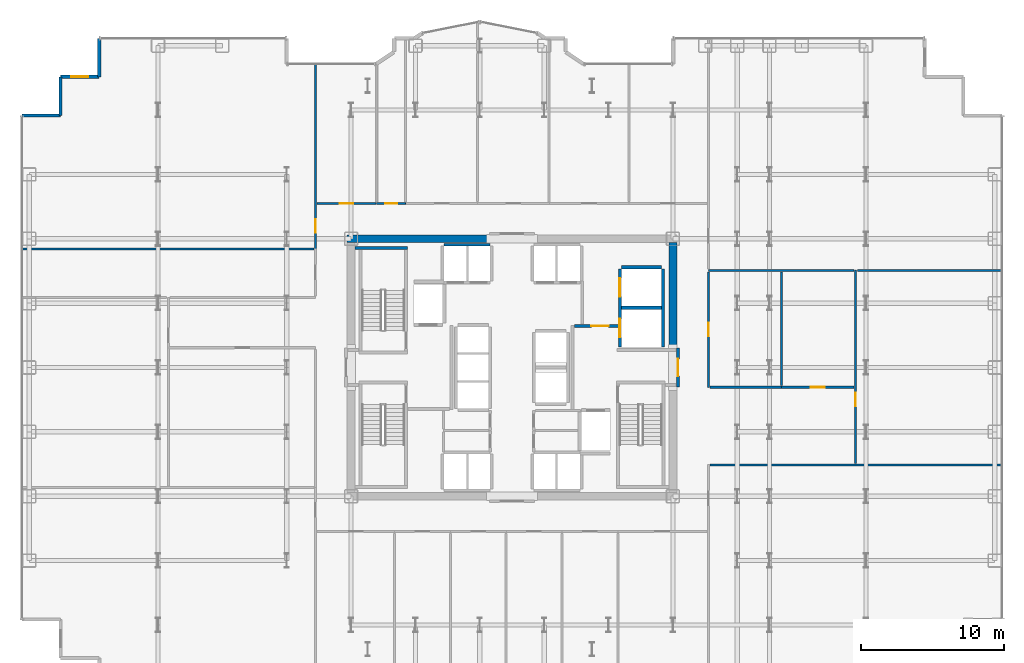
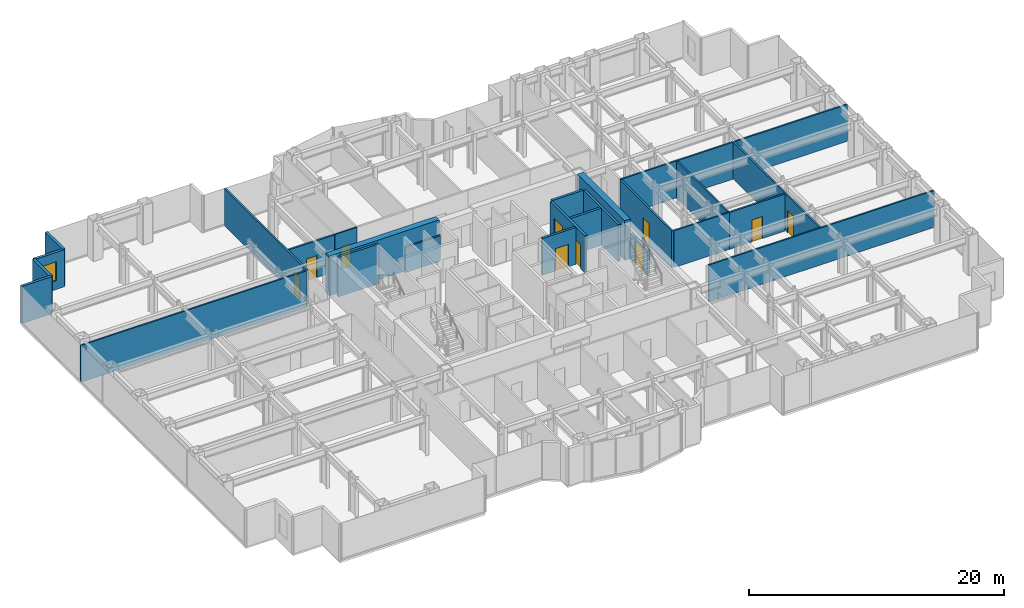
# One storey, part 23 of 26: 26 walls, 10 doors, 1 window, 11 openings.
"""IFC4 building model written with IfcOpenShell, lengths in metres."""

from ifc_helpers import new_model, si_unit, direction, frame, frame_2d, origin, place, context, subcontext, project, spatial, rectangle, extrude, source, transform, mapped, material, layer, layer_set, type_object, element, fill, save


model = new_model("IFC4")

# Units and contexts
model_context = context("Model", 3, precision=1e-05, world=origin(), true_north=direction((0.0, 1.0)))
body_context = subcontext(model_context, "Body", "Model", "MODEL_VIEW")
ifc_project = project(units=[si_unit("LENGTHUNIT", "METRE"), si_unit("AREAUNIT", "SQUARE_METRE"), si_unit("VOLUMEUNIT", "CUBIC_METRE"), si_unit("PLANEANGLEUNIT", "RADIAN"), si_unit("MASSUNIT", "GRAM", prefix="KILO")], contexts=[model_context])

# Site, building, storey
site_placement = place(None, origin())
site = spatial("IfcSite", under=ifc_project, at=site_placement, CompositionType="ELEMENT")
building_placement = place(site_placement, origin())
building = spatial("IfcBuilding", under=site, at=building_placement, Name="Nefas-Gora Pilgrimage Tower", CompositionType="ELEMENT")
storey_placement = place(building_placement, frame((0.0, 0.0, 94.60009765625)))
storey = spatial("IfcBuildingStorey", under=building, at=storey_placement, Name="L22", CompositionType="ELEMENT", Elevation=94.60009765625)

# Walls
ifc_material_1 = material(Name="Concrete C60/75", Category="concrete")
ifc_layer_1 = layer(ifc_material_1, 0.550048828125)
ifc_layer_set_1 = layer_set([ifc_layer_1], Name="Concrete C60/75")
wall_type_1 = type_object("IfcWallType", Name="SW-CORE-550", PredefinedType="SHEAR", material=ifc_layer_set_1)
shared_shape_1 = source(origin(), body_context, "Body", "SweptSolid", [
    extrude(rectangle(XDim=9.974853515625, YDim=0.550048828125, at=frame_2d((4.9873046875, 0.0))), origin(), (0.0, 0.0, 1.0), 3.7998046875),
])
wall_1_placement = place(storey_placement, frame((-11.52490234375, 9.0, 0.0), z_axis=(0.0, 0.0, 1.0), x_axis=(1.0, 0.0, 0.0)))
element("IfcWall", 1, at=wall_1_placement, inside=storey, type_object=wall_type_1, Name="L22 Core Shear Wall N-West", PredefinedType="SHEAR", context=body_context, shape_type="MappedRepresentation", body=[
    mapped(shared_shape_1, transform((0.0, 0.0, 0.0), x_axis=(1.0, 0.0, 0.0), y_axis=(0.0, 1.0, 0.0), z_axis=(0.0, 0.0, 1.0), scale=1.0)),
])
shared_shape_2 = source(origin(), body_context, "Body", "SweptSolid", [
    extrude(rectangle(XDim=7.375, YDim=0.550048828125, at=frame_2d((3.6875, 0.0))), origin(), (0.0, 0.0, 1.0), 3.7998046875),
])
wall_2_placement = place(storey_placement, frame((11.25, 1.35009765625, 0.0), z_axis=(0.0, 0.0, 1.0), x_axis=(0.0, 1.0, 0.0)))
element("IfcWall", 2, at=wall_2_placement, inside=storey, type_object=wall_type_1, Name="L22 Core Shear Wall E-North", PredefinedType="SHEAR", context=body_context, shape_type="MappedRepresentation", body=[
    mapped(shared_shape_2, transform((0.0, 0.0, 0.0), x_axis=(1.0, 0.0, 0.0), y_axis=(0.0, 1.0, 0.0), z_axis=(0.0, 0.0, 1.0), scale=1.0)),
])
ifc_material_2 = material(Name="Precast concrete C45/55", Category="concrete")
ifc_layer_2 = layer(ifc_material_2, 0.239990234375)
ifc_layer_set_2 = layer_set([ifc_layer_2], Name="Precast concrete C45/55")
wall_type_2 = type_object("IfcWallType", Name="EW-SERR-240", PredefinedType="SHEAR", material=ifc_layer_set_2)
shared_shape_3 = source(origin(), body_context, "Body", "SweptSolid", [
    extrude(rectangle(XDim=2.699951171875, YDim=0.239990234375, at=frame_2d((1.35009765625, 0.0))), origin(), (0.0, 0.0, 1.0), 3.5498046875),
])
wall_3_placement = place(storey_placement, frame((-28.8701171875, 23.02001953125, 0.0), z_axis=(0.0, 0.0, 1.0), x_axis=(0.0, -1.0, 0.0)))
element("IfcWall", 3, at=wall_3_placement, inside=storey, type_object=wall_type_2, Name="L22 Serrated Corner Shear Pier Wall 20", PredefinedType="SHEAR", context=body_context, shape_type="MappedRepresentation", body=[
    mapped(shared_shape_3, transform((0.0, 0.0, 0.0), x_axis=(1.0, 0.0, 0.0), y_axis=(0.0, 1.0, 0.0), z_axis=(0.0, 0.0, 1.0), scale=1.0)),
])

# Wall, opening, window
wall_4_placement = place(storey_placement, frame((-28.8701171875, 20.320068359375, 0.0), z_axis=(0.0, 0.0, 1.0), x_axis=(-1.0, 0.0, 0.0)))
wall_4 = element("IfcWall", 4, at=wall_4_placement, inside=storey, type_object=wall_type_2, Name="L22 Serrated Corner Shear Pier Wall 21", PredefinedType="SHEAR", context=body_context, shape_type="MappedRepresentation", body=[
    mapped(shared_shape_3, transform((0.0, 0.0, 0.0), x_axis=(1.0, 0.0, 0.0), y_axis=(0.0, 1.0, 0.0), z_axis=(0.0, 0.0, 1.0), scale=1.0)),
])
opening_1_placement = place(wall_4_placement, frame((0.75, 0.0, 0.85009765625)))
opening_1 = element("IfcOpeningElement", 5, at=opening_1_placement, cuts=wall_4, Name="Opening W-V1", PredefinedType="OPENING", context=body_context, shape_type="SweptSolid", body=[
    extrude(rectangle(XDim=1.199951171875, YDim=1.800048828125, at=frame_2d((0.60009765625, 0.89990234375))), frame((0.0, 0.1298828125, 0.0), z_axis=(0.0, -1.0, 0.0), x_axis=(1.0, 0.0, 0.0)), (0.0, 0.0, 1.0), 0.260009765625),
])
ifc_material_3 = material(Name="Dark ceramic-fritted operable aluminium-glass window", Category="aluminium")
window_type = type_object("IfcWindowType", Name="WIN-VENT-1200x1800", PartitioningType="SINGLE_PANEL", PredefinedType="WINDOW", material=ifc_material_3)
shared_shape_4 = source(origin(), body_context, "Body", "SweptSolid", [
    extrude(rectangle(XDim=1.199951171875, YDim=1.800048828125, at=frame_2d((0.60009765625, 0.89990234375))), frame((0.0, 0.030029296875, 0.0), z_axis=(0.0, -1.0, 0.0), x_axis=(1.0, 0.0, 0.0)), (0.0, 0.0, 1.0), 0.06005859375),
])
window_placement = place(opening_1_placement, origin())
window = element("IfcWindow", 6, at=window_placement, inside=storey, type_object=window_type, Name="L22 Operable Parallel-Outswing Window 21", OverallHeight=1.800048828125, OverallWidth=1.199951171875, PartitioningType="SINGLE_PANEL", PredefinedType="WINDOW", context=body_context, shape_type="MappedRepresentation", body=[
    mapped(shared_shape_4, transform((0.0, 0.0, 0.0), x_axis=(1.0, 0.0, 0.0), y_axis=(0.0, 1.0, 0.0), z_axis=(0.0, 0.0, 1.0), scale=1.0)),
])
fill(opening_1, window)

# Walls
for number, where, z_axis, x_axis, name in (
    (7, (-31.570068359375, 20.320068359375, 0.0), (0.0, 0.0, 1.0), (0.0, -1.0, 0.0), "L22 Serrated Corner Shear Pier Wall 22"),
    (8, (-31.570068359375, 17.6201171875, 0.0), (0.0, 0.0, 1.0), (-1.0, 0.0, 0.0), "L22 Serrated Corner Shear Pier Wall 23"),
):
    element("IfcWall", number, at=place(storey_placement, frame(where, z_axis=z_axis, x_axis=x_axis)), inside=storey, type_object=wall_type_2, Name=name, PredefinedType="SHEAR", context=body_context, shape_type="MappedRepresentation", body=[
        mapped(shared_shape_3, transform((0.0, 0.0, 0.0), x_axis=(1.0, 0.0, 0.0), y_axis=(0.0, 1.0, 0.0), z_axis=(0.0, 0.0, 1.0), scale=1.0)),
    ])
ifc_material_4 = material(Name="Concrete C45/55", Category="concrete")
ifc_layer_3 = layer(ifc_material_4, 0.199951171875)
ifc_layer_set_3 = layer_set([ifc_layer_3], Name="Concrete C45/55")
wall_type_3 = type_object("IfcWallType", Name="IW-STAIR-200", PredefinedType="SOLIDWALL", material=ifc_layer_set_3)
shared_shape_5 = source(origin(), body_context, "Body", "SweptSolid", [
    extrude(rectangle(XDim=3.679931640625, YDim=0.199951171875, at=frame_2d((1.83984375, 0.0))), origin(), (0.0, 0.0, 1.0), 3.7998046875),
])
wall_5_placement = place(storey_placement, frame((-7.300048828125, 8.35009765625, 0.0), z_axis=(0.0, 0.0, 1.0), x_axis=(-1.0, 0.0, 0.0)))
element("IfcWall", 9, at=wall_5_placement, inside=storey, type_object=wall_type_3, Name="L22 Stairwell Shear Wall ST-01-far", PredefinedType="SOLIDWALL", context=body_context, shape_type="MappedRepresentation", body=[
    mapped(shared_shape_5, transform((0.0, 0.0, 0.0), x_axis=(1.0, 0.0, 0.0), y_axis=(0.0, 1.0, 0.0), z_axis=(0.0, 0.0, 1.0), scale=1.0)),
])

# Wall, openings, doors
ifc_material_5 = material(Name="Concrete C40/50", Category="concrete")
ifc_layer_4 = layer(ifc_material_5, 0.219970703125)
ifc_layer_set_4 = layer_set([ifc_layer_4], Name="Concrete C40/50")
wall_type_4 = type_object("IfcWallType", Name="IW-SHAFT-220", PredefinedType="SOLIDWALL", material=ifc_layer_set_4)
shared_shape_6 = source(origin(), body_context, "Body", "SweptSolid", [
    extrude(rectangle(XDim=5.449951171875, YDim=0.219970703125, at=frame_2d((2.72509765625, 0.0))), origin(), (0.0, 0.0, 1.0), 3.534912109375),
])
wall_6_placement = place(storey_placement, frame((7.5400390625, 6.89990234375, 0.0), z_axis=(0.0, 0.0, 1.0), x_axis=(0.0, -1.0, 0.0)))
wall_6 = element("IfcWall", 10, at=wall_6_placement, inside=storey, type_object=wall_type_4, Name="L22 Hoistway Wall SL-01-02-W", PredefinedType="SOLIDWALL", context=body_context, shape_type="MappedRepresentation", body=[
    mapped(shared_shape_6, transform((0.0, 0.0, 0.0), x_axis=(1.0, 0.0, 0.0), y_axis=(0.0, 1.0, 0.0), z_axis=(0.0, 0.0, 1.0), scale=1.0)),
])
opening_2_placement = place(wall_6_placement, frame((3.5, 0.0, 0.0)))
opening_2 = element("IfcOpeningElement", 11, at=opening_2_placement, cuts=wall_6, Name="Opening LD-SV", PredefinedType="OPENING", context=body_context, shape_type="SweptSolid", body=[
    extrude(rectangle(XDim=1.300048828125, YDim=2.300048828125, at=frame_2d((0.64990234375, 1.14990234375))), frame((0.0, 0.119873046875, 0.0), z_axis=(0.0, -1.0, 0.0), x_axis=(1.0, 0.0, 0.0)), (0.0, 0.0, 1.0), 0.239990234375),
])
opening_3_placement = place(wall_6_placement, frame((0.64990234375, 0.0, 0.0)))
opening_3 = element("IfcOpeningElement", 12, at=opening_3_placement, cuts=wall_6, Name="Opening LD-SV", PredefinedType="OPENING", context=body_context, shape_type="SweptSolid", body=[
    extrude(rectangle(XDim=1.300048828125, YDim=2.300048828125, at=frame_2d((0.64990234375, 1.14990234375))), frame((0.0, 0.119873046875, 0.0), z_axis=(0.0, -1.0, 0.0), x_axis=(1.0, 0.0, 0.0)), (0.0, 0.0, 1.0), 0.239990234375),
])
ifc_material_6 = material(Name="Heavy goods sliding lift landing door")
door_type_1 = type_object("IfcDoorType", Name="DR-LIFT-SERV-1300", OperationType="SLIDING_TO_RIGHT", PredefinedType="DOOR", material=ifc_material_6)
shared_shape_7 = source(origin(), body_context, "Body", "SweptSolid", [
    extrude(rectangle(XDim=1.300048828125, YDim=2.300048828125, at=frame_2d((0.64990234375, 1.14990234375))), frame((0.0, 0.02490234375, 0.0), z_axis=(0.0, -1.0, 0.0), x_axis=(1.0, 0.0, 0.0)), (0.0, 0.0, 1.0), 0.050048828125),
])
door_1_placement = place(opening_2_placement, origin())
door_1 = element("IfcDoor", 13, at=door_1_placement, inside=storey, type_object=door_type_1, Name="L22 Sliding Lift Landing Door SL-01", OperationType="SLIDING_TO_RIGHT", OverallHeight=2.300048828125, OverallWidth=1.300048828125, PredefinedType="DOOR", context=body_context, shape_type="MappedRepresentation", body=[
    mapped(shared_shape_7, transform((0.0, 0.0, 0.0), x_axis=(1.0, 0.0, 0.0), y_axis=(0.0, 1.0, 0.0), z_axis=(0.0, 0.0, 1.0), scale=1.0)),
])
fill(opening_2, door_1)
door_2_placement = place(opening_3_placement, origin())
door_2 = element("IfcDoor", 14, at=door_2_placement, inside=storey, type_object=door_type_1, Name="L22 Sliding Lift Landing Door SL-02", OperationType="SLIDING_TO_RIGHT", OverallHeight=2.300048828125, OverallWidth=1.300048828125, PredefinedType="DOOR", context=body_context, shape_type="MappedRepresentation", body=[
    mapped(shared_shape_7, transform((0.0, 0.0, 0.0), x_axis=(1.0, 0.0, 0.0), y_axis=(0.0, 1.0, 0.0), z_axis=(0.0, 0.0, 1.0), scale=1.0)),
])
fill(opening_3, door_2)

# Walls
wall_7_placement = place(storey_placement, frame((10.56005859375, 1.449951171875, 0.0), z_axis=(0.0, 0.0, 1.0), x_axis=(0.0, 1.0, 0.0)))
element("IfcWall", 15, at=wall_7_placement, inside=storey, type_object=wall_type_4, Name="L22 Hoistway Wall SL-01-02-E", PredefinedType="SOLIDWALL", context=body_context, shape_type="MappedRepresentation", body=[
    mapped(shared_shape_6, transform((0.0, 0.0, 0.0), x_axis=(1.0, 0.0, 0.0), y_axis=(0.0, 1.0, 0.0), z_axis=(0.0, 0.0, 1.0), scale=1.0)),
])
shared_shape_8 = source(origin(), body_context, "Body", "SweptSolid", [
    extrude(rectangle(XDim=2.780029296875, YDim=0.219970703125, at=frame_2d((1.39013671875, 0.0))), origin(), (0.0, 0.0, 1.0), 3.534912109375),
])
for number, where, z_axis, x_axis, name in (
    (16, (7.659912109375, 4.175048828125, 0.0), (0.0, 0.0, 1.0), (1.0, 0.0, 0.0), "L22 Hoistway Wall SL-01-02-DIV"),
    (17, (10.43994140625, 7.010009765625, 0.0), (0.0, 0.0, 1.0), (-1.0, 0.0, 0.0), "L22 Hoistway Wall SL-02-N"),
):
    element("IfcWall", number, at=place(storey_placement, frame(where, z_axis=z_axis, x_axis=x_axis)), inside=storey, type_object=wall_type_4, Name=name, PredefinedType="SOLIDWALL", context=body_context, shape_type="MappedRepresentation", body=[
        mapped(shared_shape_8, transform((0.0, 0.0, 0.0), x_axis=(1.0, 0.0, 0.0), y_axis=(0.0, 1.0, 0.0), z_axis=(0.0, 0.0, 1.0), scale=1.0)),
    ])
ifc_material_7 = material(Name="Gypsum acoustic stud partition")
ifc_layer_5 = layer(ifc_material_7, 0.159912109375)
ifc_layer_set_5 = layer_set([ifc_layer_5], Name="Gypsum acoustic stud partition")
wall_type_5 = type_object("IfcWallType", Name="IW-CORR-160", PredefinedType="PARTITIONING", material=ifc_layer_set_5)
shared_shape_9 = source(origin(), body_context, "Body", "SweptSolid", [
    extrude(rectangle(XDim=3.199951171875, YDim=0.159912109375, at=frame_2d((1.60009765625, 0.0))), origin(), (0.0, 0.0, 1.0), 2.4248046875),
])
wall_8_placement = place(storey_placement, frame((-1.550048828125, 8.580078125, 0.0), z_axis=(0.0, 0.0, 1.0), x_axis=(-1.0, 0.0, 0.0)))
element("IfcWall", 18, at=wall_8_placement, inside=storey, type_object=wall_type_5, Name="L22 Hoistway Wall PL1-W-N", PredefinedType="PARTITIONING", context=body_context, shape_type="MappedRepresentation", body=[
    mapped(shared_shape_9, transform((0.0, 0.0, 0.0), x_axis=(1.0, 0.0, 0.0), y_axis=(0.0, 1.0, 0.0), z_axis=(0.0, 0.0, 1.0), scale=1.0)),
])

# Wall, opening, door
ifc_material_8 = material(Name="Gypsum fire-rated shaftwall")
ifc_layer_6 = layer(ifc_material_8, 0.199951171875)
ifc_layer_set_6 = layer_set([ifc_layer_6], Name="Gypsum fire-rated shaftwall")
wall_type_6 = type_object("IfcWallType", Name="IW-FFLOB-200", PredefinedType="PARTITIONING", material=ifc_layer_set_6)
shared_shape_10 = source(origin(), body_context, "Body", "SweptSolid", [
    extrude(rectangle(XDim=3.039794921875, YDim=0.199951171875, at=frame_2d((1.52001953125, 0.0))), origin(), (0.0, 0.0, 1.0), 3.534912109375),
])
wall_9_placement = place(storey_placement, frame((4.360107421875, 2.89990234375, 0.0), z_axis=(0.0, 0.0, 1.0), x_axis=(1.0, 0.0, 0.0)))
wall_9 = element("IfcWall", 19, at=wall_9_placement, inside=storey, type_object=wall_type_6, Name="L22 FF Lobby East North Wall Wall 10", PredefinedType="PARTITIONING", context=body_context, shape_type="MappedRepresentation", body=[
    mapped(shared_shape_10, transform((0.0, 0.0, 0.0), x_axis=(1.0, 0.0, 0.0), y_axis=(0.0, 1.0, 0.0), z_axis=(0.0, 0.0, 1.0), scale=1.0)),
])
opening_4_placement = place(wall_9_placement, frame((1.18994140625, 0.0, 0.0)))
opening_4 = element("IfcOpeningElement", 20, at=opening_4_placement, cuts=wall_9, Name="Opening ID-PL1", PredefinedType="OPENING", context=body_context, shape_type="SweptSolid", body=[
    extrude(rectangle(XDim=1.199951171875, YDim=2.14990234375, at=frame_2d((0.60009765625, 1.074951171875))), frame((0.0, 0.10986328125, 0.0), z_axis=(0.0, -1.0, 0.0), x_axis=(1.0, 0.0, 0.0)), (0.0, 0.0, 1.0), 0.219970703125),
])
ifc_material_9 = material(Name="Heavy-duty steel plant room fire door", Category="steel")
door_type_2 = type_object("IfcDoorType", Name="DR-INT-PLANT-1200", OperationType="NOTDEFINED", PredefinedType="DOOR", material=ifc_material_9)
shared_shape_11 = source(origin(), body_context, "Body", "SweptSolid", [
    extrude(rectangle(XDim=1.199951171875, YDim=2.14990234375, at=frame_2d((0.60009765625, 1.074951171875))), frame((0.0, 0.02490234375, 0.0), z_axis=(0.0, -1.0, 0.0), x_axis=(1.0, 0.0, 0.0)), (0.0, 0.0, 1.0), 0.050048828125),
])
door_3_placement = place(opening_4_placement, origin())
door_3 = element("IfcDoor", 21, at=door_3_placement, inside=storey, type_object=door_type_2, Name="L22 Service Lift Lobby Door Door 3", OperationType="SINGLE_SWING_LEFT", OverallHeight=2.14990234375, OverallWidth=1.199951171875, PredefinedType="DOOR", context=body_context, shape_type="MappedRepresentation", body=[
    mapped(shared_shape_11, transform((0.0, 0.0, 0.0), x_axis=(1.0, 0.0, 0.0), y_axis=(0.0, 1.0, 0.0), z_axis=(0.0, 0.0, 1.0), scale=1.0)),
])
fill(opening_4, door_3)

ifc_material_10 = material(Name="Moisture-resistant fire-rated gypsum partition")
ifc_layer_7 = layer(ifc_material_10, 0.1201171875)
ifc_layer_set_7 = layer_set([ifc_layer_7], Name="Moisture-resistant fire-rated gypsum partition")
wall_type_7 = type_object("IfcWallType", Name="IW-WET-120", PredefinedType="PLUMBINGWALL", material=ifc_layer_set_7)
shared_shape_12 = source(origin(), body_context, "Body", "SweptSolid", [
    extrude(rectangle(XDim=2.02001953125, YDim=0.1201171875, at=frame_2d((1.010009765625, 0.0))), origin(), (0.0, 0.0, 1.0), 3.534912109375),
])
wall_10_placement = place(storey_placement, frame((-9.4599609375, 11.469970703125, 0.0), z_axis=(0.0, 0.0, 1.0), x_axis=(1.0, 0.0, 0.0)))
wall_10 = element("IfcWall", 22, at=wall_10_placement, inside=storey, type_object=wall_type_7, Name="L22 Accessible Unisex WC Partition Wall 25", PredefinedType="PLUMBINGWALL", context=body_context, shape_type="MappedRepresentation", body=[
    mapped(shared_shape_12, transform((0.0, 0.0, 0.0), x_axis=(1.0, 0.0, 0.0), y_axis=(0.0, 1.0, 0.0), z_axis=(0.0, 0.0, 1.0), scale=1.0)),
])
opening_5_placement = place(wall_10_placement, frame((0.5849609375, 0.0, 0.0)))
opening_5 = element("IfcOpeningElement", 23, at=opening_5_placement, cuts=wall_10, Name="Opening ID-BT1", PredefinedType="OPENING", context=body_context, shape_type="SweptSolid", body=[
    extrude(rectangle(XDim=0.85009765625, YDim=2.10009765625, at=frame_2d((0.425048828125, 1.050048828125))), frame((0.0, 0.070068359375, 0.0), z_axis=(0.0, -1.0, 0.0), x_axis=(1.0, 0.0, 0.0)), (0.0, 0.0, 1.0), 0.14013671875),
])
ifc_material_11 = material(Name="Moisture-resistant fire-rated timber door", Category="wood")
door_type_3 = type_object("IfcDoorType", Name="DR-INT-BATH-850", OperationType="NOTDEFINED", PredefinedType="DOOR", material=ifc_material_11)
shared_shape_13 = source(origin(), body_context, "Body", "SweptSolid", [
    extrude(rectangle(XDim=0.85009765625, YDim=2.10009765625, at=frame_2d((0.425048828125, 1.050048828125))), frame((0.0, 0.02490234375, 0.0), z_axis=(0.0, -1.0, 0.0), x_axis=(1.0, 0.0, 0.0)), (0.0, 0.0, 1.0), 0.050048828125),
])
door_4_placement = place(opening_5_placement, origin())
door_4 = element("IfcDoor", 24, at=door_4_placement, inside=storey, type_object=door_type_3, Name="L22 Accessible Unisex WC Door 10", OperationType="SINGLE_SWING_RIGHT", OverallHeight=2.10009765625, OverallWidth=0.85009765625, PredefinedType="DOOR", context=body_context, shape_type="MappedRepresentation", body=[
    mapped(shared_shape_13, transform((0.0, 0.0, 0.0), x_axis=(1.0, 0.0, 0.0), y_axis=(0.0, 1.0, 0.0), z_axis=(0.0, 0.0, 1.0), scale=1.0)),
])
fill(opening_5, door_4)

shared_shape_14 = source(origin(), body_context, "Body", "SweptSolid", [
    extrude(rectangle(XDim=4.125, YDim=0.159912109375, at=frame_2d((2.0625, 0.0))), origin(), (0.0, 0.0, 1.0), 3.534912109375),
])
wall_11_placement = place(storey_placement, frame((-13.6201171875, 11.469970703125, 0.0), z_axis=(0.0, 0.0, 1.0), x_axis=(1.0, 0.0, 0.0)))
wall_11 = element("IfcWall", 25, at=wall_11_placement, inside=storey, type_object=wall_type_5, Name="L22 Pilgrim Contemplative Lounge Partition Wall 48", PredefinedType="PARTITIONING", context=body_context, shape_type="MappedRepresentation", body=[
    mapped(shared_shape_14, transform((0.0, 0.0, 0.0), x_axis=(1.0, 0.0, 0.0), y_axis=(0.0, 1.0, 0.0), z_axis=(0.0, 0.0, 1.0), scale=1.0)),
])
opening_6_placement = place(wall_11_placement, frame((1.58740234375, 0.0, 0.0)))
opening_6 = element("IfcOpeningElement", 26, at=opening_6_placement, cuts=wall_11, Name="Opening ID-GR1", PredefinedType="OPENING", context=body_context, shape_type="SweptSolid", body=[
    extrude(rectangle(XDim=0.949951171875, YDim=2.10009765625, at=frame_2d((0.47509765625, 1.050048828125))), frame((0.0, 0.08984375, 0.0), z_axis=(0.0, -1.0, 0.0), x_axis=(1.0, 0.0, 0.0)), (0.0, 0.0, 1.0), 0.179931640625),
])
ifc_material_12 = material(Name="Solid core oak fire-rated guest entrance door")
door_type_4 = type_object("IfcDoorType", Name="DR-INT-GUEST-950", OperationType="NOTDEFINED", PredefinedType="DOOR", material=ifc_material_12)
shared_shape_15 = source(origin(), body_context, "Body", "SweptSolid", [
    extrude(rectangle(XDim=0.949951171875, YDim=2.10009765625, at=frame_2d((0.47509765625, 1.050048828125))), frame((0.0, 0.02490234375, 0.0), z_axis=(0.0, -1.0, 0.0), x_axis=(1.0, 0.0, 0.0)), (0.0, 0.0, 1.0), 0.050048828125),
])
door_5_placement = place(opening_6_placement, origin())
door_5 = element("IfcDoor", 27, at=door_5_placement, inside=storey, type_object=door_type_4, Name="L22 Pilgrim Contemplative Lounge Door 21", OperationType="SINGLE_SWING_LEFT", OverallHeight=2.10009765625, OverallWidth=0.949951171875, PredefinedType="DOOR", context=body_context, shape_type="MappedRepresentation", body=[
    mapped(shared_shape_15, transform((0.0, 0.0, 0.0), x_axis=(1.0, 0.0, 0.0), y_axis=(0.0, 1.0, 0.0), z_axis=(0.0, 0.0, 1.0), scale=1.0)),
])
fill(opening_6, door_5)

# Walls
ifc_material_13 = material(Name="Gypsum twin-stud partition")
ifc_layer_8 = layer(ifc_material_13, 0.139892578125)
ifc_layer_set_8 = layer_set([ifc_layer_8], Name="Gypsum twin-stud partition")
wall_type_8 = type_object("IfcWallType", Name="IW-UNIT-140", PredefinedType="PARTITIONING", material=ifc_layer_set_8)
shared_shape_16 = source(origin(), body_context, "Body", "SweptSolid", [
    extrude(rectangle(XDim=20.429931640625, YDim=0.139892578125, at=frame_2d((10.21484375, 0.0))), origin(), (0.0, 0.0, 1.0), 3.534912109375),
])
for number, where, z_axis, x_axis, name in (
    (28, (-34.2900390625, 8.294921875, 0.0), (0.0, 0.0, 1.0), (1.0, 0.0, 0.0), "L22 Pilgrim Tea and Beverage Pantry Partition Wall 36"),
    (29, (13.860107421875, -6.804931640625, 0.0), (0.0, 0.0, 1.0), (1.0, 0.0, 0.0), "L22 Pilgrim Fellowship Seminar Room Partition Wall 39"),
):
    element("IfcWall", number, at=place(storey_placement, frame(where, z_axis=z_axis, x_axis=x_axis)), inside=storey, type_object=wall_type_8, Name=name, PredefinedType="PARTITIONING", context=body_context, shape_type="MappedRepresentation", body=[
        mapped(shared_shape_16, transform((0.0, 0.0, 0.0), x_axis=(1.0, 0.0, 0.0), y_axis=(0.0, 1.0, 0.0), z_axis=(0.0, 0.0, 1.0), scale=1.0)),
    ])

# Wall, opening, door
shared_shape_17 = source(origin(), body_context, "Body", "SweptSolid", [
    extrude(rectangle(XDim=2.7001953125, YDim=0.199951171875, at=frame_2d((1.35009765625, 0.0))), origin(), (0.0, 0.0, 1.0), 2.4248046875),
])
wall_12_placement = place(storey_placement, frame((11.60009765625, -1.35009765625, 0.0), z_axis=(0.0, 0.0, 1.0), x_axis=(0.0, 1.0, 0.0)))
wall_12 = element("IfcWall", 30, at=wall_12_placement, inside=storey, type_object=wall_type_6, Name="L22 FF Lobby East Portal Wall 8", PredefinedType="PARTITIONING", context=body_context, shape_type="MappedRepresentation", body=[
    mapped(shared_shape_17, transform((0.0, 0.0, 0.0), x_axis=(1.0, 0.0, 0.0), y_axis=(0.0, 1.0, 0.0), z_axis=(0.0, 0.0, 1.0), scale=1.0)),
])
opening_7_placement = place(wall_12_placement, frame((0.75, 0.0, 0.0)))
opening_7 = element("IfcOpeningElement", 31, at=opening_7_placement, cuts=wall_12, Name="Opening ID-FF1", PredefinedType="OPENING", context=body_context, shape_type="SweptSolid", body=[
    extrude(rectangle(XDim=1.199951171875, YDim=2.14990234375, at=frame_2d((0.60009765625, 1.074951171875))), frame((0.0, 0.10986328125, 0.0), z_axis=(0.0, -1.0, 0.0), x_axis=(1.0, 0.0, 0.0)), (0.0, 0.0, 1.0), 0.219970703125),
])
ifc_material_14 = material(Name="Smoke-sealed steel firefighting lobby door", Category="steel")
door_type_5 = type_object("IfcDoorType", Name="DR-INT-FFLOB-1200", OperationType="NOTDEFINED", PredefinedType="DOOR", material=ifc_material_14)
door_6_placement = place(opening_7_placement, origin())
door_6 = element("IfcDoor", 32, at=door_6_placement, inside=storey, type_object=door_type_5, Name="L22 FF Lobby East Portal Door 2", OperationType="SINGLE_SWING_RIGHT", OverallHeight=2.14990234375, OverallWidth=1.199951171875, PredefinedType="DOOR", context=body_context, shape_type="MappedRepresentation", body=[
    mapped(shared_shape_11, transform((0.0, 0.0, 0.0), x_axis=(1.0, 0.0, 0.0), y_axis=(0.0, 1.0, 0.0), z_axis=(0.0, 0.0, 1.0), scale=1.0)),
])
fill(opening_7, door_6)

# Walls
shared_shape_18 = source(origin(), body_context, "Body", "SweptSolid", [
    extrude(rectangle(XDim=10.169921875, YDim=0.139892578125, at=frame_2d((5.0849609375, 0.0))), origin(), (0.0, 0.0, 1.0), 3.534912109375),
])
wall_13_placement = place(storey_placement, frame((13.72998046875, 6.794921875, 0.0), z_axis=(0.0, 0.0, 1.0), x_axis=(1.0, 0.0, 0.0)))
element("IfcWall", 33, at=wall_13_placement, inside=storey, type_object=wall_type_8, Name="L22 Pilgrim Fellowship Seminar Room Partition Wall 41", PredefinedType="PARTITIONING", context=body_context, shape_type="MappedRepresentation", body=[
    mapped(shared_shape_18, transform((0.0, 0.0, 0.0), x_axis=(1.0, 0.0, 0.0), y_axis=(0.0, 1.0, 0.0), z_axis=(0.0, 0.0, 1.0), scale=1.0)),
])
shared_shape_19 = source(origin(), body_context, "Body", "SweptSolid", [
    extrude(rectangle(XDim=10.150146484375, YDim=0.139892578125, at=frame_2d((5.0751953125, 0.0))), origin(), (0.0, 0.0, 1.0), 3.534912109375),
])
wall_14_placement = place(storey_placement, frame((24.139892578125, 6.794921875, 0.0), z_axis=(0.0, 0.0, 1.0), x_axis=(1.0, 0.0, 0.0)))
element("IfcWall", 34, at=wall_14_placement, inside=storey, type_object=wall_type_8, Name="L22 Pilgrim Fellowship Seminar Room Partition Wall 42", PredefinedType="PARTITIONING", context=body_context, shape_type="MappedRepresentation", body=[
    mapped(shared_shape_19, transform((0.0, 0.0, 0.0), x_axis=(1.0, 0.0, 0.0), y_axis=(0.0, 1.0, 0.0), z_axis=(0.0, 0.0, 1.0), scale=1.0)),
])
shared_shape_20 = source(origin(), body_context, "Body", "SweptSolid", [
    extrude(rectangle(XDim=4.994873046875, YDim=0.139892578125, at=frame_2d((2.49755859375, 0.0))), origin(), (0.0, 0.0, 1.0), 3.534912109375),
])
wall_15_placement = place(storey_placement, frame((13.860107421875, -1.3798828125, 0.0), z_axis=(0.0, 0.0, 1.0), x_axis=(1.0, 0.0, 0.0)))
element("IfcWall", 35, at=wall_15_placement, inside=storey, type_object=wall_type_8, Name="L22 Pilgrim Fellowship Seminar Room Partition Wall 44", PredefinedType="PARTITIONING", context=body_context, shape_type="MappedRepresentation", body=[
    mapped(shared_shape_20, transform((0.0, 0.0, 0.0), x_axis=(1.0, 0.0, 0.0), y_axis=(0.0, 1.0, 0.0), z_axis=(0.0, 0.0, 1.0), scale=1.0)),
])

# Wall, opening, door
shared_shape_21 = source(origin(), body_context, "Body", "SweptSolid", [
    extrude(rectangle(XDim=5.044921875, YDim=0.159912109375, at=frame_2d((2.5224609375, 0.0))), origin(), (0.0, 0.0, 1.0), 3.534912109375),
])
wall_16_placement = place(storey_placement, frame((18.85498046875, -1.3798828125, 0.0), z_axis=(0.0, 0.0, 1.0), x_axis=(1.0, 0.0, 0.0)))
wall_16 = element("IfcWall", 36, at=wall_16_placement, inside=storey, type_object=wall_type_5, Name="L22 Pastoral Chaplains Counselling Office Partition Wall 46", PredefinedType="PARTITIONING", context=body_context, shape_type="MappedRepresentation", body=[
    mapped(shared_shape_21, transform((0.0, 0.0, 0.0), x_axis=(1.0, 0.0, 0.0), y_axis=(0.0, 1.0, 0.0), z_axis=(0.0, 0.0, 1.0), scale=1.0)),
])
opening_8_placement = place(wall_16_placement, frame((2.047607421875, 0.0, 0.0)))
opening_8 = element("IfcOpeningElement", 37, at=opening_8_placement, cuts=wall_16, Name="Opening ID-GR1", PredefinedType="OPENING", context=body_context, shape_type="SweptSolid", body=[
    extrude(rectangle(XDim=0.949951171875, YDim=2.10009765625, at=frame_2d((0.47509765625, 1.050048828125))), frame((0.0, 0.08984375, 0.0), z_axis=(0.0, -1.0, 0.0), x_axis=(1.0, 0.0, 0.0)), (0.0, 0.0, 1.0), 0.179931640625),
])
door_7_placement = place(opening_8_placement, origin())
door_7 = element("IfcDoor", 38, at=door_7_placement, inside=storey, type_object=door_type_4, Name="L22 Pastoral Chaplains Counselling Office Door 19", OperationType="SINGLE_SWING_LEFT", OverallHeight=2.10009765625, OverallWidth=0.949951171875, PredefinedType="DOOR", context=body_context, shape_type="MappedRepresentation", body=[
    mapped(shared_shape_15, transform((0.0, 0.0, 0.0), x_axis=(1.0, 0.0, 0.0), y_axis=(0.0, 1.0, 0.0), z_axis=(0.0, 0.0, 1.0), scale=1.0)),
])
fill(opening_8, door_7)

shared_shape_22 = source(origin(), body_context, "Body", "SweptSolid", [
    extrude(rectangle(XDim=12.945068359375, YDim=0.159912109375, at=frame_2d((6.47265625, 0.0))), origin(), (0.0, 0.0, 1.0), 3.534912109375),
])
wall_17_placement = place(storey_placement, frame((-13.739990234375, 8.294921875, 0.0), z_axis=(0.0, 0.0, 1.0), x_axis=(0.0, 1.0, 0.0)))
wall_17 = element("IfcWall", 39, at=wall_17_placement, inside=storey, type_object=wall_type_5, Name="L22 Pilgrim Fellowship Seminar Room Partition Wall 37", PredefinedType="PARTITIONING", context=body_context, shape_type="MappedRepresentation", body=[
    mapped(shared_shape_22, transform((0.0, 0.0, 0.0), x_axis=(1.0, 0.0, 0.0), y_axis=(0.0, 1.0, 0.0), z_axis=(0.0, 0.0, 1.0), scale=1.0)),
])
opening_9_placement = place(wall_17_placement, frame((1.132568359375, 0.0, 0.0)))
opening_9 = element("IfcOpeningElement", 40, at=opening_9_placement, cuts=wall_17, Name="Opening ID-GR1", PredefinedType="OPENING", context=body_context, shape_type="SweptSolid", body=[
    extrude(rectangle(XDim=0.949951171875, YDim=2.10009765625, at=frame_2d((0.47509765625, 1.050048828125))), frame((0.0, 0.08984375, 0.0), z_axis=(0.0, -1.0, 0.0), x_axis=(1.0, 0.0, 0.0)), (0.0, 0.0, 1.0), 0.179931640625),
])
door_8_placement = place(opening_9_placement, origin())
door_8 = element("IfcDoor", 41, at=door_8_placement, inside=storey, type_object=door_type_4, Name="L22 Pilgrim Fellowship Seminar Room Door 15", OperationType="SINGLE_SWING_LEFT", OverallHeight=2.10009765625, OverallWidth=0.949951171875, PredefinedType="DOOR", context=body_context, shape_type="MappedRepresentation", body=[
    mapped(shared_shape_15, transform((0.0, 0.0, 0.0), x_axis=(1.0, 0.0, 0.0), y_axis=(0.0, 1.0, 0.0), z_axis=(0.0, 0.0, 1.0), scale=1.0)),
])
fill(opening_9, door_8)

shared_shape_23 = source(origin(), body_context, "Body", "SweptSolid", [
    extrude(rectangle(XDim=13.5, YDim=0.159912109375, at=frame_2d((6.75, 0.0))), origin(), (0.0, 0.0, 1.0), 3.534912109375),
])
wall_18_placement = place(storey_placement, frame((24.02001953125, -6.695068359375, 0.0), z_axis=(0.0, 0.0, 1.0), x_axis=(0.0, 1.0, 0.0)))
wall_18 = element("IfcWall", 42, at=wall_18_placement, inside=storey, type_object=wall_type_5, Name="L22 Pilgrim Fellowship Seminar Room Partition Wall 40", PredefinedType="PARTITIONING", context=body_context, shape_type="MappedRepresentation", body=[
    mapped(shared_shape_23, transform((0.0, 0.0, 0.0), x_axis=(1.0, 0.0, 0.0), y_axis=(0.0, 1.0, 0.0), z_axis=(0.0, 0.0, 1.0), scale=1.0)),
])
opening_10_placement = place(wall_18_placement, frame((3.969970703125, 0.0, 0.0)))
opening_10 = element("IfcOpeningElement", 43, at=opening_10_placement, cuts=wall_18, Name="Opening ID-GR1", PredefinedType="OPENING", context=body_context, shape_type="SweptSolid", body=[
    extrude(rectangle(XDim=0.949951171875, YDim=2.10009765625, at=frame_2d((0.47509765625, 1.050048828125))), frame((0.0, 0.08984375, 0.0), z_axis=(0.0, -1.0, 0.0), x_axis=(1.0, 0.0, 0.0)), (0.0, 0.0, 1.0), 0.179931640625),
])
door_9_placement = place(opening_10_placement, origin())
door_9 = element("IfcDoor", 44, at=door_9_placement, inside=storey, type_object=door_type_4, Name="L22 Pilgrim Fellowship Seminar Room Door 17", OperationType="SINGLE_SWING_LEFT", OverallHeight=2.10009765625, OverallWidth=0.949951171875, PredefinedType="DOOR", context=body_context, shape_type="MappedRepresentation", body=[
    mapped(shared_shape_15, transform((0.0, 0.0, 0.0), x_axis=(1.0, 0.0, 0.0), y_axis=(0.0, 1.0, 0.0), z_axis=(0.0, 0.0, 1.0), scale=1.0)),
])
fill(opening_10, door_9)

shared_shape_24 = source(origin(), body_context, "Body", "SweptSolid", [
    extrude(rectangle(XDim=8.074951171875, YDim=0.159912109375, at=frame_2d((4.03759765625, 0.0))), origin(), (0.0, 0.0, 1.0), 3.534912109375),
])
wall_19_placement = place(storey_placement, frame((13.739990234375, -1.389892578125, 0.0), z_axis=(0.0, 0.0, 1.0), x_axis=(0.0, 1.0, 0.0)))
wall_19 = element("IfcWall", 45, at=wall_19_placement, inside=storey, type_object=wall_type_5, Name="L22 Pilgrim Fellowship Seminar Room Partition Wall 43", PredefinedType="PARTITIONING", context=body_context, shape_type="MappedRepresentation", body=[
    mapped(shared_shape_24, transform((0.0, 0.0, 0.0), x_axis=(1.0, 0.0, 0.0), y_axis=(0.0, 1.0, 0.0), z_axis=(0.0, 0.0, 1.0), scale=1.0)),
])
opening_11_placement = place(wall_19_placement, frame((3.5625, 0.0, 0.0)))
opening_11 = element("IfcOpeningElement", 46, at=opening_11_placement, cuts=wall_19, Name="Opening ID-GR1", PredefinedType="OPENING", context=body_context, shape_type="SweptSolid", body=[
    extrude(rectangle(XDim=0.949951171875, YDim=2.10009765625, at=frame_2d((0.47509765625, 1.050048828125))), frame((0.0, 0.08984375, 0.0), z_axis=(0.0, -1.0, 0.0), x_axis=(1.0, 0.0, 0.0)), (0.0, 0.0, 1.0), 0.179931640625),
])
door_10_placement = place(opening_11_placement, origin())
door_10 = element("IfcDoor", 47, at=door_10_placement, inside=storey, type_object=door_type_4, Name="L22 Pilgrim Fellowship Seminar Room Door 18", OperationType="SINGLE_SWING_RIGHT", OverallHeight=2.10009765625, OverallWidth=0.949951171875, PredefinedType="DOOR", context=body_context, shape_type="MappedRepresentation", body=[
    mapped(shared_shape_15, transform((0.0, 0.0, 0.0), x_axis=(1.0, 0.0, 0.0), y_axis=(0.0, 1.0, 0.0), z_axis=(0.0, 0.0, 1.0), scale=1.0)),
])
fill(opening_11, door_10)

# Wall
shared_shape_25 = source(origin(), body_context, "Body", "SweptSolid", [
    extrude(rectangle(XDim=7.955078125, YDim=0.139892578125, at=frame_2d((3.9775390625, 0.0))), origin(), (0.0, 0.0, 1.0), 3.534912109375),
])
wall_20_placement = place(storey_placement, frame((18.844970703125, -1.27001953125, 0.0), z_axis=(0.0, 0.0, 1.0), x_axis=(0.0, 1.0, 0.0)))
element("IfcWall", 48, at=wall_20_placement, inside=storey, type_object=wall_type_8, Name="L22 Pilgrim Fellowship Seminar Room Partition Wall 45", PredefinedType="PARTITIONING", context=body_context, shape_type="MappedRepresentation", body=[
    mapped(shared_shape_25, transform((0.0, 0.0, 0.0), x_axis=(1.0, 0.0, 0.0), y_axis=(0.0, 1.0, 0.0), z_axis=(0.0, 0.0, 1.0), scale=1.0)),
])

save(model, "model.ifc")
